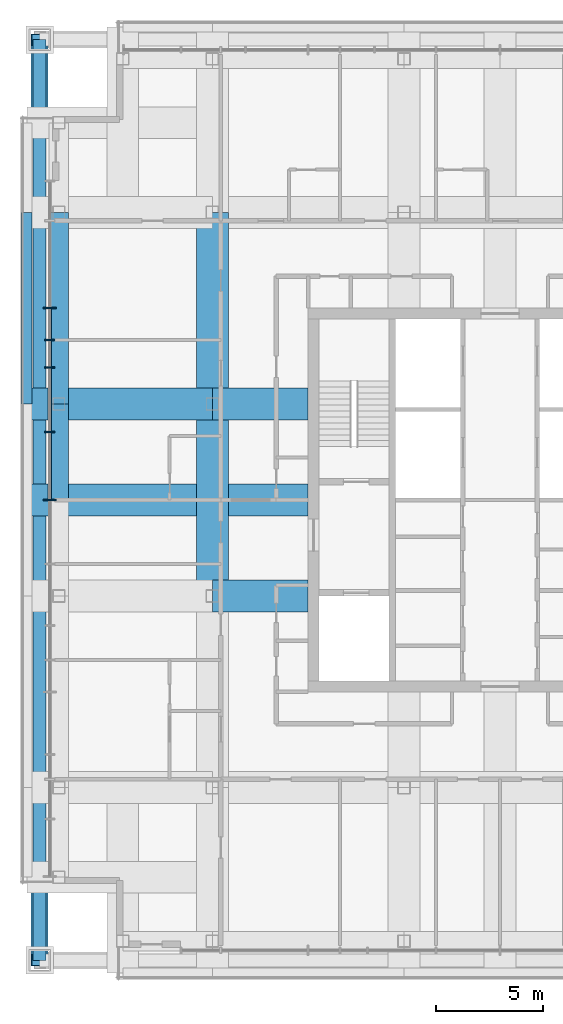
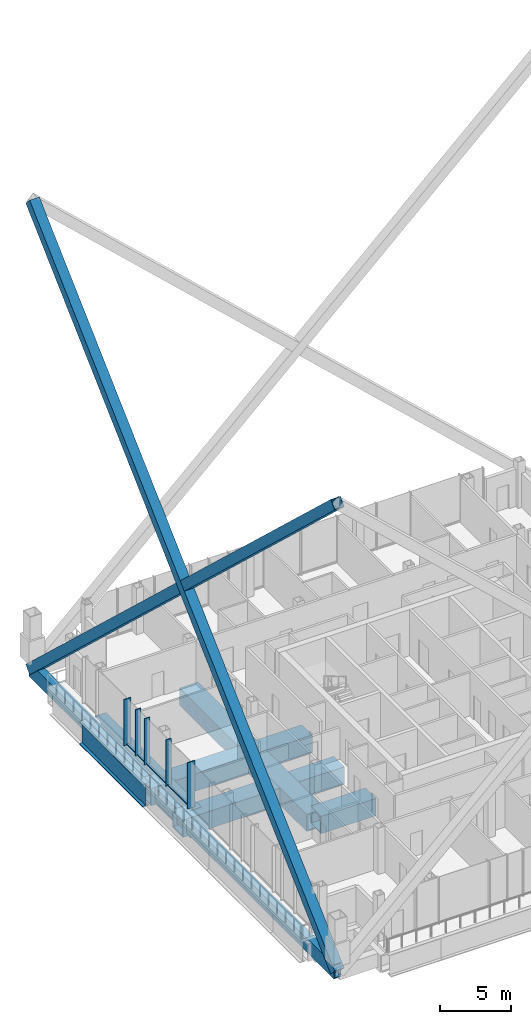
# One storey, part 5 of 19: 12 members, 9 beams, 1 element without a shape of its own.
"""IFC4 building model written with IfcOpenShell, lengths in metres."""

from ifc_helpers import new_model, si_unit, direction, frame, origin, origin_2d, place, context, subcontext, project, spatial, rectangle, hollow_rectangle, i_section, extrude, material, layer, layer_set, material_profile, profile_set, type_object, element, aggregate, save


model = new_model("IFC4")

# Units and contexts
model_context = context("Model", 3, precision=1e-05, world=origin(), true_north=direction((0.0, 1.0)))
body_context = subcontext(model_context, "Body", "Model", "MODEL_VIEW")
ifc_project = project(units=[si_unit("LENGTHUNIT", "METRE"), si_unit("AREAUNIT", "SQUARE_METRE"), si_unit("VOLUMEUNIT", "CUBIC_METRE"), si_unit("PLANEANGLEUNIT", "RADIAN"), si_unit("MASSUNIT", "GRAM", prefix="KILO")], contexts=[model_context])

# Site, building, storey
site_placement = place(None, origin())
site = spatial("IfcSite", under=ifc_project, at=site_placement, CompositionType="ELEMENT")
building_placement = place(site_placement, origin())
building = spatial("IfcBuilding", under=site, at=building_placement, Name="Malebo Sky Hospital", CompositionType="ELEMENT")
storey_placement = place(building_placement, frame((0.0, 0.0, 250.0)))
storey = spatial("IfcBuildingStorey", under=building, at=storey_placement, Name="L60", CompositionType="ELEMENT", Elevation=250.0)

# Curtain wall, members
ifc_material_1 = material(Name="Anodised aluminium, natural silver", Category="aluminium")
ifc_layer = layer(ifc_material_1, 0.25)
ifc_layer_set = layer_set([ifc_layer], Name="WARD CURTAIN WALL EAST AND WEST")
curtain_wall_type = type_object("IfcCurtainWallType", Name="WARD CURTAIN WALL EAST AND WEST", PredefinedType="NOTDEFINED", material=ifc_layer_set)
curtain_wall_placement = place(storey_placement, origin())
curtain_wall = element("IfcCurtainWall", 1, at=curtain_wall_placement, inside=storey, type_object=curtain_wall_type, Name="EW curtain wall W", PredefinedType="NOTDEFINED")
ifc_material_profile_1 = material_profile(ifc_material_1, rectangle(XDim=0.14990234375, YDim=0.10009765625, at=origin_2d()), Name="ALUMINIUM TRANSOM 150x100")
ifc_profile_set_1 = profile_set([ifc_material_profile_1], Name="Anodised aluminium, natural silver")
member_type_1 = type_object("IfcMemberType", Name="ALUMINIUM TRANSOM 150x100", PredefinedType="USERDEFINED", material=ifc_profile_set_1)
member_1_placement = place(storey_placement, frame((38.875, 62.03759765625, 0.050048828125), z_axis=(0.0, 1.0, 0.0), x_axis=(-1.0, 0.0, 0.0)))
member_1 = element("IfcMember", 2, at=member_1_placement, type_object=member_type_1, Name="Transom 9", ObjectType="TRANSOM", PredefinedType="USERDEFINED", context=body_context, shape_type="SweptSolid", body=[
    extrude(rectangle(XDim=0.14990234375, YDim=0.10009765625, at=origin_2d()), origin(), (0.0, 0.0, 1.0), 3.11572265625),
])
member_2_placement = place(storey_placement, frame((38.875, 65.228515625, 0.050048828125), z_axis=(0.0, 1.0, 0.0), x_axis=(-1.0, 0.0, 0.0)))
member_2 = element("IfcMember", 3, at=member_2_placement, type_object=member_type_1, Name="Transom 10", ObjectType="TRANSOM", PredefinedType="USERDEFINED", context=body_context, shape_type="SweptSolid", body=[
    extrude(rectangle(XDim=0.14990234375, YDim=0.10009765625, at=origin_2d()), origin(), (0.0, 0.0, 1.0), 2.9521484375),
])
member_3_placement = place(storey_placement, frame((38.875, 68.255615234375, 0.050048828125), z_axis=(0.0, 1.0, 0.0), x_axis=(-1.0, 0.0, 0.0)))
member_3 = element("IfcMember", 4, at=member_3_placement, type_object=member_type_1, Name="Transom 11", ObjectType="TRANSOM", PredefinedType="USERDEFINED", context=body_context, shape_type="SweptSolid", body=[
    extrude(rectangle(XDim=0.14990234375, YDim=0.10009765625, at=origin_2d()), origin(), (0.0, 0.0, 1.0), 1.206787109375),
])
member_4_placement = place(storey_placement, frame((38.875, 69.53759765625, 0.050048828125), z_axis=(0.0, 1.0, 0.0), x_axis=(-1.0, 0.0, 0.0)))
member_4 = element("IfcMember", 5, at=member_4_placement, type_object=member_type_1, Name="Transom 12", ObjectType="TRANSOM", PredefinedType="USERDEFINED", context=body_context, shape_type="SweptSolid", body=[
    extrude(rectangle(XDim=0.14990234375, YDim=0.10009765625, at=origin_2d()), origin(), (0.0, 0.0, 1.0), 1.4248046875),
])
ifc_material_profile_2 = material_profile(ifc_material_1, rectangle(XDim=0.074951171875, YDim=0.449951171875, at=origin_2d()), Name="CW2 ALUMINIUM FIN MULLION 75x450")
ifc_profile_set_2 = profile_set([ifc_material_profile_2], Name="Anodised aluminium, natural silver")
member_type_2 = type_object("IfcMemberType", Name="CW2 ALUMINIUM FIN MULLION 75x450", PredefinedType="MULLION", material=ifc_profile_set_2)
member_5_placement = place(storey_placement, frame((38.875, 65.19091796875, 0.0), z_axis=(0.0, 0.0, 1.0), x_axis=(0.0, 1.0, 0.0)))
member_5 = element("IfcMember", 6, at=member_5_placement, type_object=member_type_2, Name="Fin mullion 10", PredefinedType="MULLION", context=body_context, shape_type="SweptSolid", body=[
    extrude(rectangle(XDim=0.074951171875, YDim=0.449951171875, at=origin_2d()), origin(), (0.0, 0.0, 1.0), 4.0),
])
member_6_placement = place(storey_placement, frame((38.875, 68.21826171875, 0.0), z_axis=(0.0, 0.0, 1.0), x_axis=(0.0, 1.0, 0.0)))
member_6 = element("IfcMember", 7, at=member_6_placement, type_object=member_type_2, Name="Fin mullion 11", PredefinedType="MULLION", context=body_context, shape_type="SweptSolid", body=[
    extrude(rectangle(XDim=0.074951171875, YDim=0.449951171875, at=origin_2d()), origin(), (0.0, 0.0, 1.0), 4.0),
])
member_7_placement = place(storey_placement, frame((38.875, 69.5, 0.0), z_axis=(0.0, 0.0, 1.0), x_axis=(0.0, 1.0, 0.0)))
member_7 = element("IfcMember", 8, at=member_7_placement, type_object=member_type_2, Name="Fin mullion 12", PredefinedType="MULLION", context=body_context, shape_type="SweptSolid", body=[
    extrude(rectangle(XDim=0.074951171875, YDim=0.449951171875, at=origin_2d()), origin(), (0.0, 0.0, 1.0), 4.0),
])
ifc_material_profile_3 = material_profile(ifc_material_1, rectangle(XDim=0.074951171875, YDim=0.60009765625, at=origin_2d()), Name="CW2 ALUMINIUM FIN MULLION 75x600")
ifc_profile_set_3 = profile_set([ifc_material_profile_3], Name="Anodised aluminium, natural silver")
member_type_3 = type_object("IfcMemberType", Name="CW2 ALUMINIUM FIN MULLION 75x600", PredefinedType="MULLION", material=ifc_profile_set_3)
member_8_placement = place(storey_placement, frame((38.875, 62.0, 0.0), z_axis=(0.0, 0.0, 1.0), x_axis=(0.0, 1.0, 0.0)))
member_8 = element("IfcMember", 9, at=member_8_placement, type_object=member_type_3, Name="Fin mullion 9", PredefinedType="MULLION", context=body_context, shape_type="SweptSolid", body=[
    extrude(rectangle(XDim=0.074951171875, YDim=0.60009765625, at=origin_2d()), origin(), (0.0, 0.0, 1.0), 4.0),
])
member_9_placement = place(storey_placement, frame((38.875, 71.0, 0.0), z_axis=(0.0, 0.0, 1.0), x_axis=(0.0, 1.0, 0.0)))
member_9 = element("IfcMember", 10, at=member_9_placement, type_object=member_type_3, Name="Fin mullion 13", PredefinedType="MULLION", context=body_context, shape_type="SweptSolid", body=[
    extrude(rectangle(XDim=0.074951171875, YDim=0.60009765625, at=origin_2d()), origin(), (0.0, 0.0, 1.0), 4.0),
])
aggregate(curtain_wall, [member_8, member_5, member_6, member_7, member_9, member_1, member_2, member_3, member_4])

# Members
ifc_material_2 = material(Name="Steel S460", Category="steel")
ifc_material_profile_4 = material_profile(ifc_material_2, hollow_rectangle(XDim=0.800048828125, YDim=0.800048828125, WallThickness=0.0400390625, at=origin_2d()), Name="BOX 800x800x40")
ifc_profile_set_4 = profile_set([ifc_material_profile_4], Name="Steel S460")
member_type_4 = type_object("IfcMemberType", Name="MEGA BRACE BOX 800x800x40", PredefinedType="BRACE", material=ifc_profile_set_4)
for number, where, z_axis, x_axis, name in (
    (11, (38.39990234375, 83.60009765625, -0.85009765625), (0.0, -0.729958512274, 0.683491455951), (1.0, 0.0, 0.0), "Mega brace D1W1 L60-RF"),
    (12, (38.39990234375, 40.39990234375, -0.85009765625), (0.0, 0.729958512274, 0.683491455951), (-1.0, 0.0, 0.0), "Mega brace D1W2 L60-RF"),
):
    element("IfcMember", number, at=place(storey_placement, frame(where, z_axis=z_axis, x_axis=x_axis)), inside=storey, type_object=member_type_4, Name=name, PredefinedType="BRACE", context=body_context, shape_type="SweptSolid", body=[
        extrude(hollow_rectangle(XDim=0.800048828125, YDim=0.800048828125, WallThickness=0.0400390625, at=origin_2d()), origin(), (0.0, 0.0, 1.0), 59.181640625),
    ])
ifc_material_profile_5 = material_profile(ifc_material_2, hollow_rectangle(XDim=0.60009765625, YDim=1.199951171875, WallThickness=0.080078125, at=origin_2d()), Name="BOX 1200x600x80")
ifc_profile_set_5 = profile_set([ifc_material_profile_5], Name="Steel S460")
member_type_5 = type_object("IfcMemberType", Name="MEGA TIE BOX 1200x600x80", PredefinedType="CHORD", material=ifc_profile_set_5)
member_10_placement = place(storey_placement, frame((38.39990234375, 83.60009765625, -0.85009765625), z_axis=(0.0, -1.0, 0.0), x_axis=(1.0, 0.0, 0.0)))
element("IfcMember", 13, at=member_10_placement, inside=storey, type_object=member_type_5, Name="Mega tie DW L60", PredefinedType="CHORD", context=body_context, shape_type="SweptSolid", body=[
    extrude(hollow_rectangle(XDim=0.60009765625, YDim=1.199951171875, WallThickness=0.080078125, at=origin_2d()), origin(), (0.0, 0.0, 1.0), 43.2001953125),
])

# Beams
ifc_material_profile_6 = material_profile(ifc_material_2, hollow_rectangle(XDim=1.5, YDim=1.5, WallThickness=0.10009765625, at=origin_2d()), Name="BOX 1500x1500x100")
ifc_profile_set_6 = profile_set([ifc_material_profile_6], Name="Steel S460")
beam_type_1 = type_object("IfcBeamType", Name="TRANSFER GIRDER BOX 1500x1500x100", PredefinedType="BEAM", material=ifc_profile_set_6)
for number, where, z_axis, x_axis, name in (
    (14, (46.5, 57.5, -1.0), (0.0, 1.0, 0.0), (-1.0, 0.0, 0.0), "Beam 010 L60"),
    (15, (46.5, 66.5, -1.0), (0.0, 1.0, 0.0), (-1.0, 0.0, 0.0), "Beam 011 L60"),
):
    element("IfcBeam", number, at=place(storey_placement, frame(where, z_axis=z_axis, x_axis=x_axis)), inside=storey, type_object=beam_type_1, Name=name, PredefinedType="BEAM", context=body_context, shape_type="SweptSolid", body=[
        extrude(hollow_rectangle(XDim=1.5, YDim=1.5, WallThickness=0.10009765625, at=origin_2d()), origin(), (0.0, 0.0, 1.0), 9.0),
    ])
beam_1_placement = place(storey_placement, frame((46.5, 57.5, -1.0), z_axis=(1.0, 0.0, 0.0), x_axis=(0.0, 1.0, 0.0)))
element("IfcBeam", 16, at=beam_1_placement, inside=storey, type_object=beam_type_1, Name="Beam 050 L60", PredefinedType="BEAM", context=body_context, shape_type="SweptSolid", body=[
    extrude(hollow_rectangle(XDim=1.5, YDim=1.5, WallThickness=0.10009765625, at=origin_2d()), origin(), (0.0, 0.0, 1.0), 4.5),
])
beam_2_placement = place(storey_placement, frame((37.800048828125, 66.5, -1.0), z_axis=(1.0, 0.0, 0.0), x_axis=(0.0, 1.0, 0.0)))
element("IfcBeam", 17, at=beam_2_placement, inside=storey, type_object=beam_type_1, Name="Beam 055 L60", PredefinedType="BEAM", context=body_context, shape_type="SweptSolid", body=[
    extrude(hollow_rectangle(XDim=1.5, YDim=1.5, WallThickness=0.10009765625, at=origin_2d()), origin(), (0.0, 0.0, 1.0), 8.699951171875),
])
beam_3_placement = place(storey_placement, frame((46.5, 66.5, -1.0), z_axis=(1.0, 0.0, 0.0), x_axis=(0.0, 1.0, 0.0)))
element("IfcBeam", 18, at=beam_3_placement, inside=storey, type_object=beam_type_1, Name="Beam 056 L60", PredefinedType="BEAM", context=body_context, shape_type="SweptSolid", body=[
    extrude(hollow_rectangle(XDim=1.5, YDim=1.5, WallThickness=0.10009765625, at=origin_2d()), origin(), (0.0, 0.0, 1.0), 4.5),
])
beam_4_placement = place(storey_placement, frame((37.800048828125, 62.0, -1.0), z_axis=(1.0, 0.0, 0.0), x_axis=(0.0, 1.0, 0.0)))
element("IfcBeam", 19, at=beam_4_placement, inside=storey, type_object=beam_type_1, Name="Beam 053 L60", PredefinedType="BEAM", context=body_context, shape_type="SweptSolid", body=[
    extrude(hollow_rectangle(XDim=1.5, YDim=1.5, WallThickness=0.10009765625, at=origin_2d()), origin(), (0.0, 0.0, 1.0), 13.199951171875),
])
ifc_material_3 = material(Name="Steel S355", Category="steel")
ifc_material_profile_7 = material_profile(ifc_material_3, i_section(OverallWidth=0.5, OverallDepth=2.0, WebThickness=0.0400390625, FlangeThickness=0.080078125, at=origin_2d()), Name="PG 2000x500x40x80")
ifc_profile_set_7 = profile_set([ifc_material_profile_7], Name="Steel S355")
beam_type_2 = type_object("IfcBeamType", Name="TRANSFER GIRDER PG 2000x500x40x80", PredefinedType="BEAM", material=ifc_profile_set_7)
beam_5_placement = place(storey_placement, frame((37.800048828125, 66.5, -1.25), z_axis=(0.0, 1.0, 0.0), x_axis=(-1.0, 0.0, 0.0)))
element("IfcBeam", 20, at=beam_5_placement, inside=storey, type_object=beam_type_2, Name="Beam 003 L60", PredefinedType="BEAM", context=body_context, shape_type="SweptSolid", body=[
    extrude(i_section(OverallWidth=0.5, OverallDepth=2.0, WebThickness=0.0400390625, FlangeThickness=0.080078125, at=origin_2d()), origin(), (0.0, 0.0, 1.0), 9.0),
])
ifc_material_profile_8 = material_profile(ifc_material_3, i_section(OverallWidth=0.89990234375, OverallDepth=2.39990234375, WebThickness=0.050048828125, FlangeThickness=0.10009765625, at=origin_2d()), Name="PG 2400x900x50x100")
ifc_profile_set_8 = profile_set([ifc_material_profile_8], Name="Steel S355")
beam_type_3 = type_object("IfcBeamType", Name="TRANSFER GIRDER PG 2400x900x50x100", PredefinedType="BEAM", material=ifc_profile_set_8)
beam_6_placement = place(storey_placement, frame((39.300048828125, 62.0, -1.449951171875), z_axis=(0.0, 1.0, 0.0), x_axis=(-1.0, 0.0, 0.0)))
element("IfcBeam", 21, at=beam_6_placement, inside=storey, type_object=beam_type_3, Name="Beam 005d L60", PredefinedType="BEAM", context=body_context, shape_type="SweptSolid", body=[
    extrude(i_section(OverallWidth=0.89990234375, OverallDepth=2.39990234375, WebThickness=0.050048828125, FlangeThickness=0.10009765625, at=origin_2d()), origin(), (0.0, 0.0, 1.0), 4.5),
])
beam_7_placement = place(storey_placement, frame((39.300048828125, 66.5, -1.449951171875), z_axis=(0.0, 1.0, 0.0), x_axis=(-1.0, 0.0, 0.0)))
element("IfcBeam", 22, at=beam_7_placement, inside=storey, type_object=beam_type_3, Name="Beam 005e L60", PredefinedType="BEAM", context=body_context, shape_type="SweptSolid", body=[
    extrude(i_section(OverallWidth=0.89990234375, OverallDepth=2.39990234375, WebThickness=0.050048828125, FlangeThickness=0.10009765625, at=origin_2d()), origin(), (0.0, 0.0, 1.0), 9.0),
])

save(model, "model.ifc")
